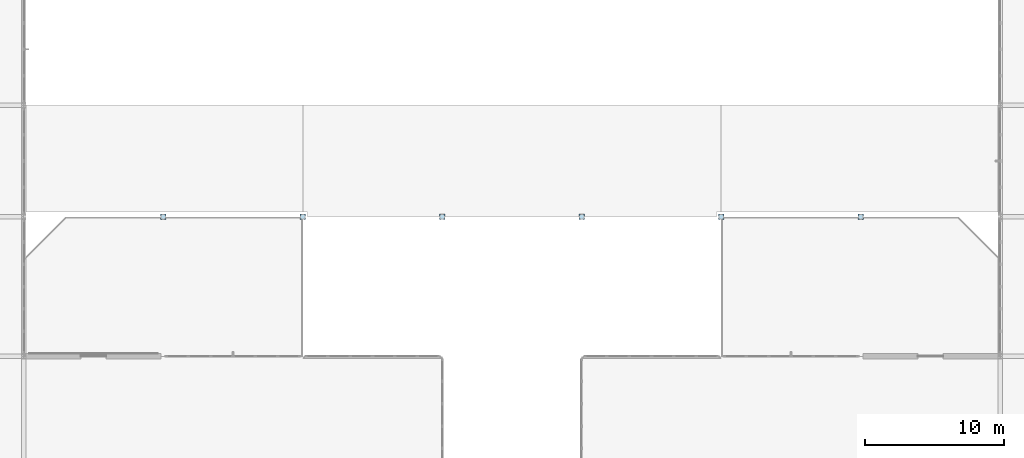
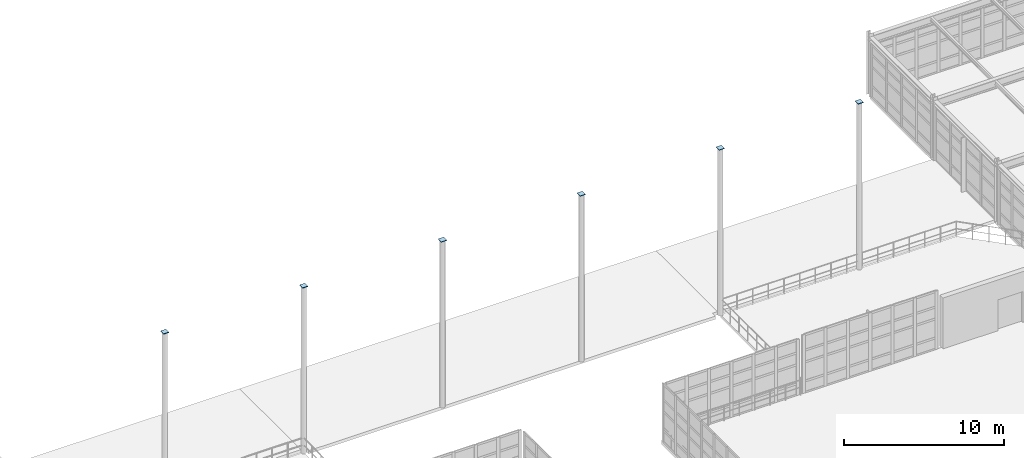
# One storey, part 112 of 139: 6 plates.
"""IFC4 building model written with IfcOpenShell, lengths in metres."""

from ifc_helpers import new_model, si_unit, direction, frame, origin, origin_2d, place, context, subcontext, project, spatial, rectangle, extrude, material, layer, layer_set, type_object, element, save


model = new_model("IFC4")

# Units and contexts
model_context = context("Model", 3, precision=1e-05, world=origin(), true_north=direction((0.0, 1.0)))
body_context = subcontext(model_context, "Body", "Model", "MODEL_VIEW")
ifc_project = project(units=[si_unit("LENGTHUNIT", "METRE"), si_unit("AREAUNIT", "SQUARE_METRE"), si_unit("VOLUMEUNIT", "CUBIC_METRE"), si_unit("PLANEANGLEUNIT", "RADIAN"), si_unit("MASSUNIT", "GRAM", prefix="KILO"), si_unit("THERMODYNAMICTEMPERATUREUNIT", "KELVIN"), si_unit("POWERUNIT", "WATT")], contexts=[model_context])

# Site, building, storey
site_placement = place(None, origin())
site = spatial("IfcSite", under=ifc_project, at=site_placement, CompositionType="ELEMENT")
building_placement = place(site_placement, origin())
building = spatial("IfcBuilding", under=site, at=building_placement, Name="Korenveer Ferry Terminal", CompositionType="ELEMENT")
storey_placement = place(building_placement, frame((0.0, 0.0, 5.39990234375)))
storey = spatial("IfcBuildingStorey", under=building, at=storey_placement, Name="L01", CompositionType="ELEMENT", Elevation=5.39990234375)

# Plates
ifc_material = material(Name="Steel S355", Category="steel")
ifc_layer = layer(ifc_material, 0.0419921875)
ifc_layer_set = layer_set([ifc_layer], Name="Steel S355")
plate_type = type_object("IfcPlateType", Name="STR-PLT-CAP42", PredefinedType="USERDEFINED", material=ifc_layer_set)
for number, where, z_axis, x_axis, name in (
    (1, (63.0, 100.0, 12.662353515625), (0.0, 0.0, 1.0), (1.0, 0.0, 0.0), "Hollow section end cap 214"),
    (2, (73.0, 100.0, 12.662353515625), (0.0, 0.0, 1.0), (1.0, 0.0, 0.0), "Hollow section end cap 218"),
    (3, (83.0, 100.0, 12.662353515625), (0.0, 0.0, 1.0), (1.0, 0.0, 0.0), "Hollow section end cap 222"),
    (4, (93.0, 100.0, 12.662353515625), (0.0, 0.0, 1.0), (1.0, 0.0, 0.0), "Hollow section end cap 226"),
    (5, (103.0, 100.0, 12.662353515625), (0.0, 0.0, 1.0), (1.0, 0.0, 0.0), "Hollow section end cap 230"),
    (6, (113.0, 100.0, 12.662353515625), (0.0, 0.0, 1.0), (1.0, 0.0, 0.0), "Hollow section end cap 234"),
):
    element("IfcPlate", number, at=place(storey_placement, frame(where, z_axis=z_axis, x_axis=x_axis)), inside=storey, type_object=plate_type, Name=name, ObjectType="END CAP PLATE", PredefinedType="USERDEFINED", context=body_context, shape_type="SweptSolid", body=[
        extrude(rectangle(XDim=0.385498046875, YDim=0.385498046875, at=origin_2d()), origin(), (0.0, 0.0, 1.0), 0.0419921875),
    ])

save(model, "model.ifc")
